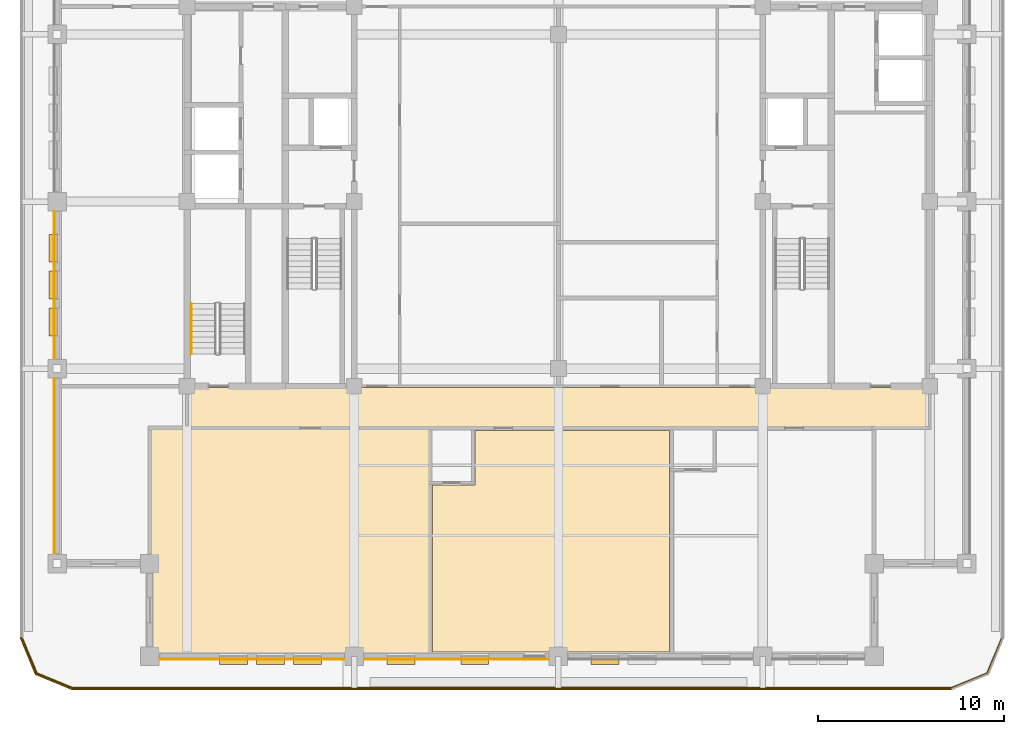
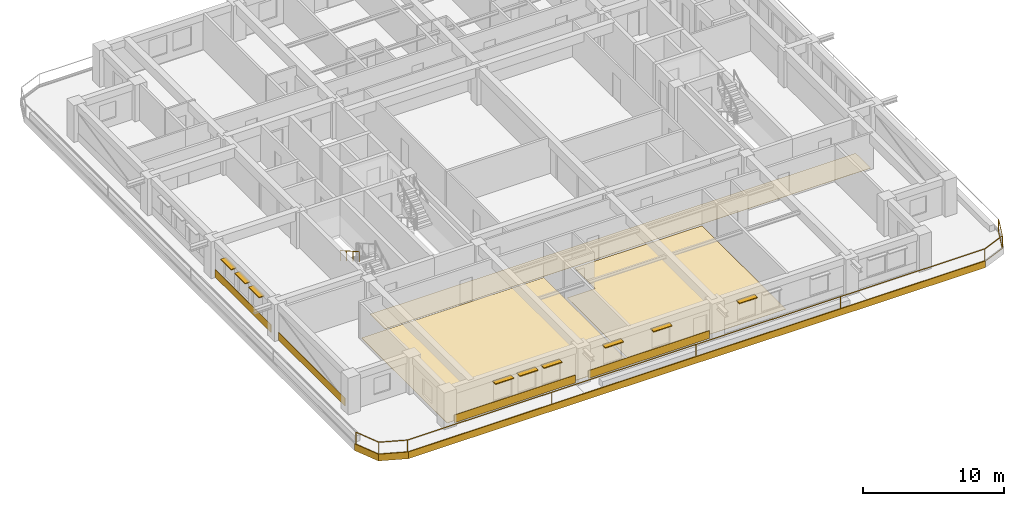
# One storey, part 8 of 14: 10 coverings, 9 shading devices, 2 railings.
"""IFC4 building model written with IfcOpenShell, lengths in metres."""

from ifc_helpers import new_model, si_unit, direction, frame, frame_2d, origin, origin_2d, place, context, subcontext, project, spatial, polyline, rectangle, outline, extrude, material, layer, layer_set, type_object, element, save


model = new_model("IFC4")

# Units and contexts
model_context = context("Model", 3, precision=1e-05, world=origin(), true_north=direction((0.0, 1.0)))
body_context = subcontext(model_context, "Body", "Model", "MODEL_VIEW")
ifc_project = project(units=[si_unit("LENGTHUNIT", "METRE"), si_unit("AREAUNIT", "SQUARE_METRE"), si_unit("VOLUMEUNIT", "CUBIC_METRE"), si_unit("PLANEANGLEUNIT", "RADIAN"), si_unit("MASSUNIT", "GRAM", prefix="KILO")], contexts=[model_context])

# Site, building, storey
site_placement = place(None, origin())
site = spatial("IfcSite", under=ifc_project, at=site_placement, CompositionType="ELEMENT")
building_placement = place(site_placement, origin())
building = spatial("IfcBuilding", under=site, at=building_placement, Name="Zulmaris Gate Convention Tower", CompositionType="ELEMENT")
storey_placement = place(building_placement, frame((0.0, 0.0, 194.85986328125)))
storey = spatial("IfcBuildingStorey", under=building, at=storey_placement, Name="L50", CompositionType="ELEMENT", Elevation=194.85986328125)

# Coverings
ifc_material_1 = material(Name="Precast concrete C40/50", Category="concrete")
ifc_layer_1 = layer(ifc_material_1, 0.0400390625, Name="Precast concrete C40/50")
ifc_layer_set_1 = layer_set([ifc_layer_1], Name="Precast concrete C40/50")
covering_type_1 = type_object("IfcCoveringType", Name="CLAD-SPANDREL-PRECAST", PredefinedType="CLADDING", material=ifc_layer_set_1)
for number, where, z_axis, x_axis, name in (
    (1, (-21.469970703125, -24.64990234375, 0.0), (0.0, 0.0, 1.0), (1.0, 0.0, 0.0), "CLD-L50-S-0_0"),
    (2, (-10.469970703125, -24.64990234375, 0.0), (0.0, 0.0, 1.0), (1.0, 0.0, 0.0), "CLD-L50-S-1_0"),
):
    element("IfcCovering", number, at=place(storey_placement, frame(where, z_axis=z_axis, x_axis=x_axis)), inside=storey, type_object=covering_type_1, Name=name, PredefinedType="CLADDING", context=body_context, shape_type="SweptSolid", body=[
        extrude(rectangle(XDim=9.93994140625, YDim=0.0400390625, at=frame_2d((4.969970703125, 0.0))), origin(), (0.0, 0.0, 1.0), 0.679931640625),
    ])
covering_1_placement = place(storey_placement, frame((-27.14990234375, -9.530029296875, 0.0), z_axis=(0.0, 0.0, 1.0), x_axis=(0.0, -1.0, 0.0)))
element("IfcCovering", 3, at=covering_1_placement, inside=storey, type_object=covering_type_1, Name="CLD-L50-W-0_0", PredefinedType="CLADDING", context=body_context, shape_type="SweptSolid", body=[
    extrude(rectangle(XDim=9.43994140625, YDim=0.0400390625, at=frame_2d((4.719970703125, 0.0))), origin(), (0.0, 0.0, 1.0), 0.679931640625),
])
covering_2_placement = place(storey_placement, frame((-27.14990234375, -0.530029296875, 0.0), z_axis=(0.0, 0.0, 1.0), x_axis=(0.0, -1.0, 0.0)))
element("IfcCovering", 4, at=covering_2_placement, inside=storey, type_object=covering_type_1, Name="CLD-L50-W-1_0", PredefinedType="CLADDING", context=body_context, shape_type="SweptSolid", body=[
    extrude(rectangle(XDim=7.93994140625, YDim=0.0400390625, at=frame_2d((3.969970703125, 0.0))), origin(), (0.0, 0.0, 1.0), 0.679931640625),
])
ifc_material_2 = material(Name="White Glazed Architectural Precast Concrete C40/50", Category="concrete")
ifc_layer_2 = layer(ifc_material_2, 0.080078125, Name="White Glazed Architectural Precast Concrete C40/50")
ifc_layer_set_2 = layer_set([ifc_layer_2], Name="White Glazed Architectural Precast Concrete C40/50")
covering_type_2 = type_object("IfcCoveringType", Name="CLAD-TRAY-FASCIA", PredefinedType="CLADDING", material=ifc_layer_set_2)
covering_3_placement = place(storey_placement, frame((-28.962890625, -23.484619140625, -0.46484375), z_axis=(0.0, 0.0, 1.0), x_axis=(0.382656984709, -0.923890487046, 0.0)))
element("IfcCovering", 5, at=covering_3_placement, inside=storey, type_object=covering_type_2, Name="FSC-L50-TR-00", PredefinedType="CLADDING", context=body_context, shape_type="SweptSolid", body=[
    extrude(rectangle(XDim=2.14306640625, YDim=0.080078125, at=frame_2d((1.071533203125, 0.0))), origin(), (0.0, 0.0, 1.0), 0.5849609375),
])
covering_4_placement = place(storey_placement, frame((-28.16455078125, -25.44287109375, -0.46484375), z_axis=(0.0, 0.0, 1.0), x_axis=(0.923873803533, -0.382697263049, 0.0)))
element("IfcCovering", 6, at=covering_4_placement, inside=storey, type_object=covering_type_2, Name="FSC-L50-TR-01", PredefinedType="CLADDING", context=body_context, shape_type="SweptSolid", body=[
    extrude(rectangle(XDim=2.142822265625, YDim=0.080078125, at=frame_2d((1.0712890625, 0.0))), origin(), (0.0, 0.0, 1.0), 0.5849609375),
])
covering_5_placement = place(storey_placement, frame((-26.199951171875, -26.260009765625, -0.46484375), z_axis=(0.0, 0.0, 1.0), x_axis=(1.0, 0.0, 0.0)))
element("IfcCovering", 7, at=covering_5_placement, inside=storey, type_object=covering_type_2, Name="FSC-L50-TR-02", PredefinedType="CLADDING", context=body_context, shape_type="SweptSolid", body=[
    extrude(rectangle(XDim=47.39990234375, YDim=0.080078125, at=frame_2d((23.699951171875, 0.0))), origin(), (0.0, 0.0, 1.0), 0.5849609375),
])
ifc_material_3 = material(Name="Woven Acoustic Wool Carpet Tile")
ifc_layer_3 = layer(ifc_material_3, 0.02001953125, Name="Woven Acoustic Wool Carpet Tile")
ifc_layer_set_3 = layer_set([ifc_layer_3], Name="Woven Acoustic Wool Carpet Tile")
covering_type_3 = type_object("IfcCoveringType", Name="FLR-CARPET-12", PredefinedType="FLOORING", material=ifc_layer_set_3)
covering_6_placement = place(storey_placement, origin())
element("IfcCovering", 8, at=covering_6_placement, inside=storey, type_object=covering_type_3, Name="FLR-L50-R26", PredefinedType="FLOORING", context=body_context, shape_type="SweptSolid", body=[
    extrude(outline(polyline([(-19.93994140625, -12.139892578125), (19.93994140625, -12.139892578125), (19.93994140625, -10.010009765625), (-19.93994140625, -10.010009765625), (-19.93994140625, -12.139892578125)])), origin(), (0.0, 0.0, 1.0), 0.02001953125),
])
ifc_material_4 = material(Name="Polished Granite Terrazzo Tile", Category="masonry")
ifc_layer_4 = layer(ifc_material_4, 0.02001953125, Name="Polished Granite Terrazzo Tile")
ifc_layer_set_4 = layer_set([ifc_layer_4], Name="Polished Granite Terrazzo Tile")
covering_type_4 = type_object("IfcCoveringType", Name="FLR-TERRAZZO-30", PredefinedType="FLOORING", material=ifc_layer_set_4)
covering_7_placement = place(storey_placement, origin())
element("IfcCovering", 9, at=covering_7_placement, inside=storey, type_object=covering_type_4, Name="FLR-L50-R41", PredefinedType="FLOORING", context=body_context, shape_type="SweptSolid", body=[
    extrude(outline(polyline([(-21.93994140625, -24.43994140625), (-6.9599609375, -24.43994140625), (-6.9599609375, -12.260009765625), (-21.93994140625, -12.260009765625), (-21.93994140625, -24.43994140625)])), origin(), (0.0, 0.0, 1.0), 0.02001953125),
])
ifc_material_5 = material(Name="Engineered Teak Parquet Flooring")
ifc_layer_5 = layer(ifc_material_5, 0.02001953125, Name="Engineered Teak Parquet Flooring")
ifc_layer_set_5 = layer_set([ifc_layer_5], Name="Engineered Teak Parquet Flooring")
covering_type_5 = type_object("IfcCoveringType", Name="FLR-TIMBER-18", PredefinedType="FLOORING", material=ifc_layer_set_5)
covering_8_placement = place(storey_placement, origin())
element("IfcCovering", 10, at=covering_8_placement, inside=storey, type_object=covering_type_5, Name="FLR-L50-R43", PredefinedType="FLOORING", context=body_context, shape_type="SweptSolid", body=[
    extrude(outline(polyline([(-6.780029296875, -24.260009765625), (5.97998046875, -24.260009765625), (5.97998046875, -12.320068359375), (-4.47998046875, -12.320068359375), (-4.47998046875, -15.27001953125), (-6.780029296875, -15.27001953125), (-6.780029296875, -24.260009765625)])), origin(), (0.0, 0.0, 1.0), 0.02001953125),
])

# Railings
ifc_material_6 = material(Name="Laminated Glass and Stainless Steel", Category="steel")
railing_type_1 = type_object("IfcRailingType", Name="RL-BALC-1150", PredefinedType="BALUSTRADE", material=ifc_material_6)
railing_1_placement = place(storey_placement, frame((-28.8798828125, -23.5, -0.0400390625)))
element("IfcRailing", 11, at=railing_1_placement, inside=storey, type_object=railing_type_1, Name="RL-L50-BALC-S", PredefinedType="BALUSTRADE", context=body_context, shape_type="SweptSolid", body=[
    extrude(rectangle(XDim=0.048095703125, YDim=0.048095703125, at=origin_2d()), frame((0.0, 0.0, 1.1259765625), z_axis=(0.382670664694, -0.92388482095, 0.0), x_axis=(0.92388482095, 0.382670664694, 0.0)), (0.0, 0.0, 1.0), 2.051025390625),
    extrude(rectangle(XDim=0.048095703125, YDim=0.048095703125, at=origin_2d()), frame((0.0, 0.0, 0.02392578125), z_axis=(0.382670664694, -0.92388482095, 0.0), x_axis=(0.92388482095, 0.382670664694, 0.0)), (0.0, 0.0, 1.0), 2.051025390625),
    extrude(rectangle(XDim=0.048095703125, YDim=0.048095703125, at=origin_2d()), frame((0.784912109375, -1.89501953125, 1.1259765625), z_axis=(0.92388482095, -0.382670664694, 0.0), x_axis=(0.382670664694, 0.92388482095, 0.0)), (0.0, 0.0, 1.0), 2.051025390625),
    extrude(rectangle(XDim=0.048095703125, YDim=0.048095703125, at=origin_2d()), frame((0.784912109375, -1.89501953125, 0.02392578125), z_axis=(0.92388482095, -0.382670664694, 0.0), x_axis=(0.382670664694, 0.92388482095, 0.0)), (0.0, 0.0, 1.0), 2.051025390625),
    extrude(rectangle(XDim=0.048095703125, YDim=0.048095703125, at=origin_2d()), frame((2.679931640625, -2.679931640625, 1.1259765625), z_axis=(1.0, 0.0, 0.0), x_axis=(0.0, 1.0, 0.0)), (0.0, 0.0, 1.0), 47.39990234375),
    extrude(rectangle(XDim=0.048095703125, YDim=0.048095703125, at=origin_2d()), frame((2.679931640625, -2.679931640625, 0.02392578125), z_axis=(1.0, 0.0, 0.0), x_axis=(0.0, 1.0, 0.0)), (0.0, 0.0, 1.0), 47.39990234375),
    extrude(rectangle(XDim=0.048095703125, YDim=0.048095703125, at=origin_2d()), frame((50.079833984375, -2.679931640625, 1.1259765625), z_axis=(0.92388482095, 0.382670664694, 0.0), x_axis=(-0.382670664694, 0.92388482095, 0.0)), (0.0, 0.0, 1.0), 2.051025390625),
    extrude(rectangle(XDim=0.048095703125, YDim=0.048095703125, at=origin_2d()), frame((50.079833984375, -2.679931640625, 0.02392578125), z_axis=(0.92388482095, 0.382670664694, 0.0), x_axis=(-0.382670664694, 0.92388482095, 0.0)), (0.0, 0.0, 1.0), 2.051025390625),
    extrude(rectangle(XDim=0.048095703125, YDim=0.048095703125, at=origin_2d()), frame((51.974853515625, -1.89501953125, 1.1259765625), z_axis=(0.382670664694, 0.92388482095, 0.0), x_axis=(-0.92388482095, 0.382670664694, 0.0)), (0.0, 0.0, 1.0), 2.051025390625),
    extrude(rectangle(XDim=0.048095703125, YDim=0.048095703125, at=origin_2d()), frame((51.974853515625, -1.89501953125, 0.02392578125), z_axis=(0.382670664694, 0.92388482095, 0.0), x_axis=(-0.92388482095, 0.382670664694, 0.0)), (0.0, 0.0, 1.0), 2.051025390625),
    extrude(rectangle(XDim=0.0419921875, YDim=0.0419921875, at=origin_2d()), origin(), (0.0, 0.0, 1.0), 1.101806640625),
    extrude(rectangle(XDim=0.0419921875, YDim=0.0419921875, at=origin_2d()), frame((0.784912109375, -1.89501953125, 0.0)), (0.0, 0.0, 1.0), 1.101806640625),
    extrude(rectangle(XDim=0.0419921875, YDim=0.0419921875, at=origin_2d()), frame((2.679931640625, -2.679931640625, 0.0)), (0.0, 0.0, 1.0), 1.101806640625),
    extrude(rectangle(XDim=0.0419921875, YDim=0.0419921875, at=origin_2d()), frame((14.52978515625, -2.679931640625, 0.0)), (0.0, 0.0, 1.0), 1.101806640625),
    extrude(rectangle(XDim=0.0419921875, YDim=0.0419921875, at=origin_2d()), frame((26.3798828125, -2.679931640625, 0.0)), (0.0, 0.0, 1.0), 1.101806640625),
    extrude(rectangle(XDim=0.0419921875, YDim=0.0419921875, at=origin_2d()), frame((38.22998046875, -2.679931640625, 0.0)), (0.0, 0.0, 1.0), 1.101806640625),
    extrude(rectangle(XDim=0.0419921875, YDim=0.0419921875, at=origin_2d()), frame((50.079833984375, -2.679931640625, 0.0)), (0.0, 0.0, 1.0), 1.101806640625),
    extrude(rectangle(XDim=0.0419921875, YDim=0.0419921875, at=origin_2d()), frame((51.974853515625, -1.89501953125, 0.0)), (0.0, 0.0, 1.0), 1.101806640625),
    extrude(rectangle(XDim=0.0419921875, YDim=0.0419921875, at=origin_2d()), frame((52.759765625, 0.0, 0.0)), (0.0, 0.0, 1.0), 1.101806640625),
])
ifc_material_7 = material(Name="Brushed Stainless Steel", Category="steel")
railing_type_2 = type_object("IfcRailingType", Name="RL-STH-900", PredefinedType="HANDRAIL", material=ifc_material_7)
railing_2_placement = place(storey_placement, frame((-19.77001953125, -5.5, 1.8701171875)))
element("IfcRailing", 12, at=railing_2_placement, inside=storey, type_object=railing_type_2, Name="L50 ST-3 stair handrail 2", PredefinedType="HANDRAIL", context=body_context, shape_type="SweptSolid", body=[
    extrude(rectangle(XDim=0.048095703125, YDim=0.048095703125, at=origin_2d()), frame((0.0, 0.0, 0.8759765625), z_axis=(0.0, -0.870014312096, 0.49302646658), x_axis=(1.0, 0.0, 0.0)), (0.0, 0.0, 1.0), 3.103271484375),
    extrude(rectangle(XDim=0.0419921875, YDim=0.0419921875, at=origin_2d()), origin(), (0.0, 0.0, 1.0), 0.851806640625),
    extrude(rectangle(XDim=0.0419921875, YDim=0.0419921875, at=origin_2d()), frame((0.0, -0.89990234375, 0.510009765625)), (0.0, 0.0, 1.0), 0.851806640625),
    extrude(rectangle(XDim=0.0419921875, YDim=0.0419921875, at=origin_2d()), frame((0.0, -1.800048828125, 1.02001953125)), (0.0, 0.0, 1.0), 0.851806640625),
    extrude(rectangle(XDim=0.0419921875, YDim=0.0419921875, at=origin_2d()), frame((0.0, -2.699951171875, 1.530029296875)), (0.0, 0.0, 1.0), 0.851806640625),
])

# Shading devices
ifc_material_8 = material(Name="Glazed Ceramic Terracotta", Category="masonry")
ifc_layer_6 = layer(ifc_material_8, 0.070068359375, Name="Glazed Ceramic Terracotta")
ifc_layer_set_6 = layer_set([ifc_layer_6], Name="Glazed Ceramic Terracotta")
shading_device_type = type_object("IfcShadingDeviceType", Name="SHD-SUNSHADE-TC", PredefinedType="AWNING", material=ifc_layer_set_6)
for number, where, z_axis, x_axis, name in (
    (13, (-18.243896484375, -24.719970703125, 2.35009765625), (0.0, 0.0, 1.0), (1.0, 0.0, 0.0), "SHD-EW-L50-S-0_0-2"),
    (14, (-16.256103515625, -24.719970703125, 2.35009765625), (0.0, 0.0, 1.0), (1.0, 0.0, 0.0), "SHD-EW-L50-S-0_0-3"),
    (15, (-14.26806640625, -24.719970703125, 2.35009765625), (0.0, 0.0, 1.0), (1.0, 0.0, 0.0), "SHD-EW-L50-S-0_0-4"),
    (16, (-9.23193359375, -24.719970703125, 2.35009765625), (0.0, 0.0, 1.0), (1.0, 0.0, 0.0), "SHD-EW-L50-S-1_0-1"),
    (17, (-5.256103515625, -24.719970703125, 2.35009765625), (0.0, 0.0, 1.0), (1.0, 0.0, 0.0), "SHD-EW-L50-S-1_0-3"),
    (18, (1.76806640625, -24.719970703125, 2.35009765625), (0.0, 0.0, 1.0), (1.0, 0.0, 0.0), "SHD-EW-L50-S-2_0-1"),
    (19, (-27.219970703125, -1.764892578125, 2.35009765625), (0.0, 0.0, 1.0), (0.0, -1.0, 0.0), "SHD-EW-L50-W-1_0-1"),
    (20, (-27.219970703125, -3.75, 2.35009765625), (0.0, 0.0, 1.0), (0.0, -1.0, 0.0), "SHD-EW-L50-W-1_0-2"),
    (21, (-27.219970703125, -5.735107421875, 2.35009765625), (0.0, 0.0, 1.0), (0.0, -1.0, 0.0), "SHD-EW-L50-W-1_0-3"),
):
    element("IfcShadingDevice", number, at=place(storey_placement, frame(where, z_axis=z_axis, x_axis=x_axis)), inside=storey, type_object=shading_device_type, Name=name, PredefinedType="AWNING", context=body_context, shape_type="SweptSolid", body=[
        extrude(rectangle(XDim=1.5, YDim=0.43994140625, at=frame_2d((0.75, 0.0))), origin(), (0.0, 0.0, 1.0), 0.06982421875),
    ])

save(model, "model.ifc")
